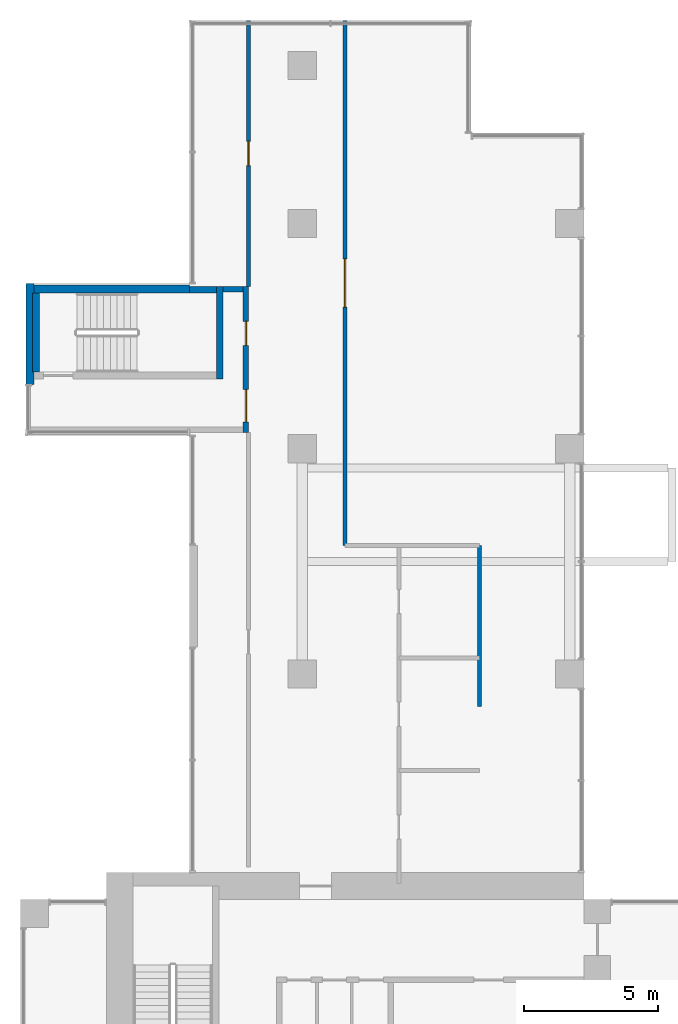
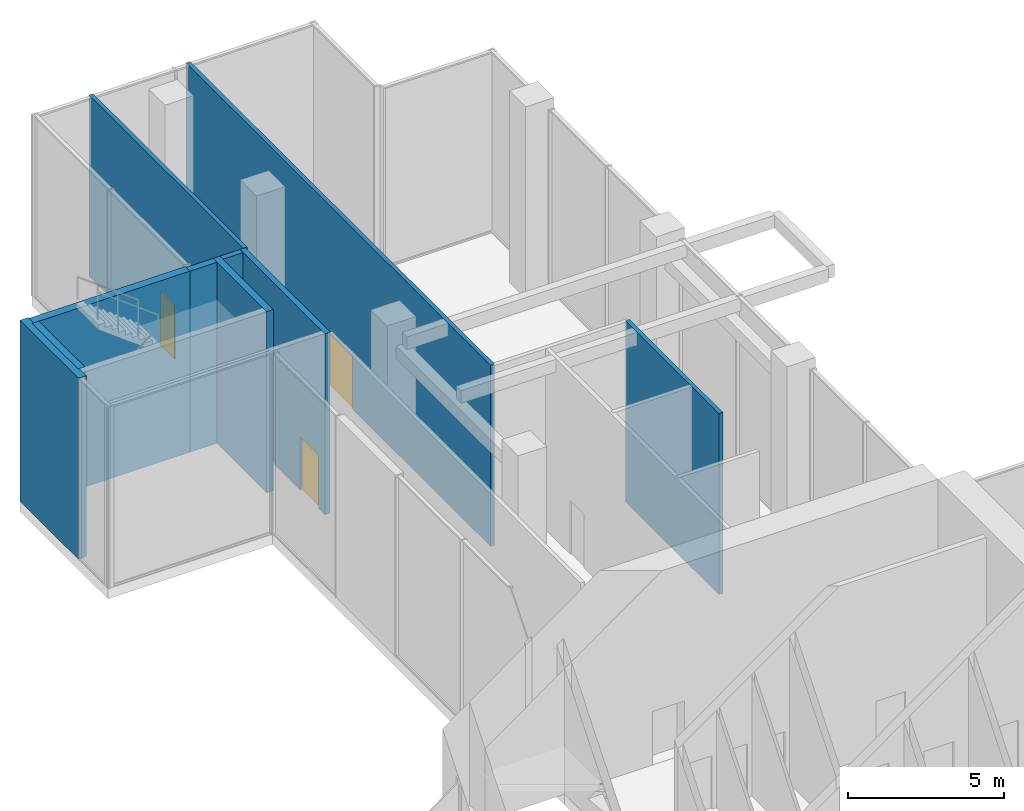
# One storey, part 13 of 18: 10 walls, 4 doors, 4 openings.
"""IFC4 building model written with IfcOpenShell, lengths in metres."""

import ifcopenshell
import ifcopenshell.guid

model = None  # the IFC model being written
_history = None  # IfcOwnerHistory: only IFC2X3 demands one
_inside = {}  # id of a spatial element -> (the spatial element, [elements in it])
_under = {}  # id of a project, library or spatial element -> (it, [spatial elements below it])
_declared = {}  # id of a project -> (the project, [libraries it declares])
_typed = {}  # id of a type object -> (the type object, [elements of that type])
_made_of = {}  # id of a material, layer set ... -> (it, [elements and type objects made of it])


def new_model(schema):
    """Start an empty IFC model of exactly this schema.

    Asked for "IFC4X3", IfcOpenShell would pick the latest addendum, in which some entities
    have other attributes; the version numbers below select the first issue.
    IFC2X3 requires an IfcOwnerHistory on every rooted entity: one is made here for all.
    """
    global model, _history
    if schema == "IFC4X3":
        model = ifcopenshell.file(schema_version=(4, 3, 0, 0))
    else:
        model = ifcopenshell.file(schema=schema)
    _inside.clear()
    _under.clear()
    _declared.clear()
    _typed.clear()
    _made_of.clear()
    _history = None
    if model.schema == "IFC2X3":
        org = make("IfcOrganization", Name="unknown")
        user = make(
            "IfcPersonAndOrganization",
            ThePerson=make("IfcPerson", FamilyName="unknown"),
            TheOrganization=org,
        )
        app = make(
            "IfcApplication",
            ApplicationDeveloper=org,
            Version="unknown",
            ApplicationFullName="unknown",
            ApplicationIdentifier="unknown",
        )
        _history = make(
            "IfcOwnerHistory",
            OwningUser=user,
            OwningApplication=app,
            ChangeAction="ADDED",
            CreationDate=0,
        )
    return model


def make(cls, **values):
    """One entity of the class cls with the attributes given. An attribute that is None is left unset."""
    return model.create_entity(
        cls, **{name: value for name, value in values.items() if value is not None}
    )


def rooted(cls, **values):
    """An entity with a GlobalId (a new one), such as an element, a storey or a relation."""
    return make(cls, GlobalId=ifcopenshell.guid.new(), OwnerHistory=_history, **values)


def si_unit(unit_type, name, prefix=None):
    """IfcSIUnit, for example si_unit("LENGTHUNIT", "METRE", prefix="MILLI")."""
    return make("IfcSIUnit", UnitType=unit_type, Prefix=prefix, Name=name)


def assignment(units):
    """IfcUnitAssignment: the units of a project."""
    return None if units is None else make("IfcUnitAssignment", Units=units)


def point(xyz):
    """IfcCartesianPoint."""
    return None if xyz is None else make("IfcCartesianPoint", Coordinates=xyz)


def direction(xyz):
    """IfcDirection."""
    return None if xyz is None else make("IfcDirection", DirectionRatios=xyz)


def frame(location, z_axis=None, x_axis=None):
    """IfcAxis2Placement3D, a coordinate frame: its origin and axes. An axis left out is left unset."""
    return make(
        "IfcAxis2Placement3D",
        Location=point(location),
        Axis=direction(z_axis),
        RefDirection=direction(x_axis),
    )


def frame_2d(location, x_axis=None):
    """IfcAxis2Placement2D, a coordinate frame in the plane: its origin and x axis."""
    return make(
        "IfcAxis2Placement2D", Location=point(location), RefDirection=direction(x_axis)
    )


def origin():
    """The frame at (0, 0, 0) with its axes left unset."""
    return frame((0.0, 0.0, 0.0))


def place(relative_to, where):
    """IfcLocalPlacement: puts the frame where relative to a parent placement (None: the world)."""
    return make(
        "IfcLocalPlacement", PlacementRelTo=relative_to, RelativePlacement=where
    )


def context(
    kind, dimensions, precision=None, world=None, true_north=None, identifier=None
):
    """IfcGeometricRepresentationContext, for example the 3D "Model" context."""
    return make(
        "IfcGeometricRepresentationContext",
        ContextIdentifier=identifier,
        ContextType=kind,
        CoordinateSpaceDimension=dimensions,
        Precision=precision,
        WorldCoordinateSystem=world,
        TrueNorth=true_north,
    )


def subcontext(parent, identifier, kind, view, scale=None):
    """IfcGeometricRepresentationSubContext, for example "Body" below "Model"."""
    return make(
        "IfcGeometricRepresentationSubContext",
        ContextIdentifier=identifier,
        ContextType=kind,
        ParentContext=parent,
        TargetScale=scale,
        TargetView=view,
    )


def project(units=None, contexts=None):
    """IfcProject with its units and contexts."""
    return rooted(
        "IfcProject",
        Name="project",
        RepresentationContexts=contexts,
        UnitsInContext=assignment(units),
    )


def spatial(cls, under=None, at=None, **own):
    """A site, building, storey or space (cls), placed at a placement, below another one or the project."""
    s = rooted(cls, ObjectPlacement=at, **own)
    if under is not None:
        _under.setdefault(under.id(), (under, []))[1].append(s)
    return s


def profile(cls, at=None, kind="AREA", **sizes):
    """A parametric profile (cls). Its sizes go by their IFC names, for example OverallWidth=200.0."""
    return make(cls, ProfileType=kind, Position=at, **sizes)


def rectangle(**sizes):
    """IfcRectangleProfileDef."""
    return profile("IfcRectangleProfileDef", **sizes)


def extrude(swept, where, along, depth):
    """IfcExtrudedAreaSolid: the profile swept, set in the frame where, extruded along a direction by depth."""
    return make(
        "IfcExtrudedAreaSolid",
        SweptArea=swept,
        Position=where,
        ExtrudedDirection=direction(along),
        Depth=depth,
    )


def shape(context_of_items, identifier, shape_type, items):
    """IfcShapeRepresentation: the items that make up one representation, for example the "Body"."""
    return make(
        "IfcShapeRepresentation",
        ContextOfItems=context_of_items,
        RepresentationIdentifier=identifier,
        RepresentationType=shape_type,
        Items=items,
    )


def source(mapping_origin, context_of_items, identifier, shape_type, items):
    """IfcRepresentationMap: a shape defined once, which mapped items show again and again."""
    return make(
        "IfcRepresentationMap",
        MappingOrigin=mapping_origin,
        MappedRepresentation=shape(context_of_items, identifier, shape_type, items),
    )


def transform(
    local_origin,
    x_axis=None,
    y_axis=None,
    z_axis=None,
    scale=None,
    scale2=None,
    scale3=None,
    uniform=True,
):
    """IfcCartesianTransformationOperator3D, or its non-uniform kind. x_axis, y_axis, z_axis: its Axis1, 2, 3."""
    if uniform:
        return make(
            "IfcCartesianTransformationOperator3D",
            Axis1=direction(x_axis),
            Axis2=direction(y_axis),
            LocalOrigin=point(local_origin),
            Scale=scale,
            Axis3=direction(z_axis),
        )
    return make(
        "IfcCartesianTransformationOperator3DnonUniform",
        Axis1=direction(x_axis),
        Axis2=direction(y_axis),
        LocalOrigin=point(local_origin),
        Scale=scale,
        Axis3=direction(z_axis),
        Scale2=scale2,
        Scale3=scale3,
    )


def mapped(mapping_source, mapping_target):
    """IfcMappedItem: shows the shape of a source again, moved by a transform."""
    return make(
        "IfcMappedItem", MappingSource=mapping_source, MappingTarget=mapping_target
    )


def material(Name=None, Category=None):
    """IfcMaterial."""
    return make("IfcMaterial", Name=Name, Category=Category)


def layer(
    of_material, thickness, ventilated=None, Name=None, Category=None, Priority=None
):
    """IfcMaterialLayer: one layer of a wall or slab, of a material (None: an air gap)."""
    return make(
        "IfcMaterialLayer",
        Material=of_material,
        LayerThickness=thickness,
        IsVentilated=ventilated,
        Name=Name,
        Category=Category,
        Priority=Priority,
    )


def layer_set(layers, Name=None):
    """IfcMaterialLayerSet."""
    return make("IfcMaterialLayerSet", MaterialLayers=layers, LayerSetName=Name)


def made_of(thing, what):
    """Note that an element or type object is made of a material, layer set ...; save() writes the relation."""
    if what is not None:
        _made_of.setdefault(what.id(), (what, []))[1].append(thing)
    return thing


def type_object(cls, material=None, **own):
    """A type object (cls), such as IfcWallType, which elements share."""
    return made_of(rooted(cls, **own), material)


def element(
    cls,
    number,
    at=None,
    inside=None,
    cuts=None,
    type_object=None,
    material=None,
    context=None,
    identifier="Body",
    shape_type=None,
    held_by="IfcProductDefinitionShape",
    body=None,
    shapes=None,
    **own,
):
    """One element of the class cls, such as IfcWall. Its Tag is "e" and its number.

    at: its placement. inside: the storey or other place that contains it. cuts: it is an
    opening in that element (IfcRelVoidsElement). A single representation is given by context,
    identifier, shape_type and body (its items); several are given by shapes. held_by: the class
    of the entity that holds the representations. save() writes the other relations.
    """
    e = rooted(cls, Tag="e%d" % number, ObjectPlacement=at, **own)
    if body is not None:
        shapes = [shape(context, identifier, shape_type, body)]
    if shapes is not None:
        e.Representation = make(held_by, Representations=shapes)
    if inside is not None:
        _inside.setdefault(inside.id(), (inside, []))[1].append(e)
    if cuts is not None:
        rooted(
            "IfcRelVoidsElement", RelatingBuildingElement=cuts, RelatedOpeningElement=e
        )
    if type_object is not None:
        _typed.setdefault(type_object.id(), (type_object, []))[1].append(e)
    return made_of(e, material)


def fill(opening, filler):
    """IfcRelFillsElement: the door or window that sits in an opening."""
    return rooted(
        "IfcRelFillsElement",
        RelatingOpeningElement=opening,
        RelatedBuildingElement=filler,
    )


def aggregate(whole, parts):
    """IfcRelAggregates: a whole, such as a stair, and the parts it consists of."""
    return rooted("IfcRelAggregates", RelatingObject=whole, RelatedObjects=parts)


def save(model, path):
    """Write the relations noted so far, then the file.

    IfcRelAggregates (storeys below a building ...), IfcRelContainedInSpatialStructure (elements
    in a storey), IfcRelDefinesByType, IfcRelAssociatesMaterial and IfcRelDeclares: one each for
    every whole, place, type object, material and project.
    """
    for whole, parts in _under.values():
        aggregate(whole, parts)
    for where, things in _inside.values():
        rooted(
            "IfcRelContainedInSpatialStructure",
            RelatedElements=things,
            RelatingStructure=where,
        )
    for kind, things in _typed.values():
        rooted("IfcRelDefinesByType", RelatedObjects=things, RelatingType=kind)
    for what, things in _made_of.values():
        rooted("IfcRelAssociatesMaterial", RelatedObjects=things, RelatingMaterial=what)
    for by, libraries in _declared.values():
        rooted("IfcRelDeclares", RelatingContext=by, RelatedDefinitions=libraries)
    model.write(path)


model = new_model("IFC4")

# Units and contexts
model_context = context("Model", 3, precision=1e-05, world=origin(), true_north=direction((0.0, 1.0)))
body_context = subcontext(model_context, "Body", "Model", "MODEL_VIEW")
ifc_project = project(units=[si_unit("LENGTHUNIT", "METRE"), si_unit("AREAUNIT", "SQUARE_METRE"), si_unit("VOLUMEUNIT", "CUBIC_METRE"), si_unit("PLANEANGLEUNIT", "RADIAN"), si_unit("MASSUNIT", "GRAM", prefix="KILO")], contexts=[model_context])

# Site, building, storey
site_placement = place(None, origin())
site = spatial("IfcSite", under=ifc_project, at=site_placement, CompositionType="ELEMENT")
building_placement = place(site_placement, origin())
building = spatial("IfcBuilding", under=site, at=building_placement, Name="Aurelian Terraces", CompositionType="ELEMENT")
storey_placement = place(building_placement, frame((0.0, 0.0, 170.3)))
storey = spatial("IfcBuildingStorey", under=building, at=storey_placement, Name="L37", CompositionType="ELEMENT", Elevation=170.3)

# Walls
ifc_material_1 = material(Name="Concrete fc' 40 MPa", Category="concrete")
ifc_layer_1 = layer(ifc_material_1, 0.3)
ifc_layer_set_1 = layer_set([ifc_layer_1], Name="STAIR BAY WALL 300")
wall_type_1 = type_object("IfcWallType", Name="STAIR BAY WALL 300", PredefinedType="SOLIDWALL", material=ifc_layer_set_1)
wall_1_placement = place(storey_placement, frame((6.3, 43.75, 0.0), z_axis=(0.0, 0.0, 1.0), x_axis=(-1.0, 0.0, 0.0)))
element("IfcWall", 1, at=wall_1_placement, inside=storey, type_object=wall_type_1, Name="Stair bay wall L37 F15.1", PredefinedType="SOLIDWALL", context=body_context, shape_type="SweptSolid", body=[
    extrude(rectangle(XDim=5.8, YDim=0.3, at=frame_2d((2.9, 0.0))), origin(), (0.0, 0.0, 1.0), 7.1),
])
wall_2_placement = place(storey_placement, frame((0.35, 43.95, 0.0), z_axis=(0.0, 0.0, 1.0), x_axis=(0.0, -1.0, 0.0)))
element("IfcWall", 2, at=wall_2_placement, inside=storey, type_object=wall_type_1, Name="Stair bay wall L37 F16.1", PredefinedType="SOLIDWALL", context=body_context, shape_type="SweptSolid", body=[
    extrude(rectangle(XDim=3.75, YDim=0.3, at=frame_2d((1.875, 0.0))), origin(), (0.0, 0.0, 1.0), 7.1),
])

# Wall, opening, door
ifc_material_2 = material(Name="Gypsum board on steel studs", Category="steel")
ifc_layer_2 = layer(ifc_material_2, 0.15)
ifc_layer_set_2 = layer_set([ifc_layer_2], Name="Special partition 150")
wall_type_2 = type_object("IfcWallType", Name="Special partition 150", PredefinedType="PARTITIONING", material=ifc_layer_set_2)
wall_3_placement = place(storey_placement, frame((8.5, 43.85, 0.0), z_axis=(0.0, 0.0, 1.0), x_axis=(0.0, 1.0, 0.0)))
wall_3 = element("IfcWall", 3, at=wall_3_placement, inside=storey, type_object=wall_type_2, Name="L37 partition W08", PredefinedType="PARTITIONING", context=body_context, shape_type="SweptSolid", body=[
    extrude(rectangle(XDim=9.91, YDim=0.15, at=frame_2d((4.955, 0.0))), origin(), (0.0, 0.0, 1.0), 7.1),
])
shared_shape_1 = source(origin(), body_context, "Body", "SweptSolid", [
    extrude(rectangle(XDim=0.9, YDim=2.1, at=frame_2d((0.45, 1.05))), frame((0.0, 0.085, 0.0), z_axis=(0.0, -1.0, 0.0), x_axis=(1.0, 0.0, 0.0)), (0.0, 0.0, 1.0), 0.17),
])
opening_1_placement = place(wall_3_placement, frame((4.505, 0.0, 0.0)))
opening_1 = element("IfcOpeningElement", 4, at=opening_1_placement, cuts=wall_3, Name="Opening 74006", PredefinedType="OPENING", context=body_context, shape_type="MappedRepresentation", body=[
    mapped(shared_shape_1, transform((0.0, 0.0, 0.0), scale=1.0)),
])
ifc_material_3 = material(Name="Timber door leaf", Category="wood")
door_type_1 = type_object("IfcDoorType", Name="Special door 900x2100 right", OperationType="SINGLE_SWING_RIGHT", PredefinedType="DOOR", material=ifc_material_3)
shared_shape_2 = source(origin(), body_context, "Body", "SweptSolid", [
    extrude(rectangle(XDim=0.9, YDim=2.1, at=frame_2d((0.45, 1.05))), frame((0.0, 0.025, 0.0), z_axis=(0.0, -1.0, 0.0), x_axis=(1.0, 0.0, 0.0)), (0.0, 0.0, 1.0), 0.05),
])
door_1_placement = place(opening_1_placement, origin())
door_1 = element("IfcDoor", 5, at=door_1_placement, inside=storey, type_object=door_type_1, Name="Door 74006", OperationType="SINGLE_SWING_RIGHT", OverallHeight=2.1, OverallWidth=0.9, PredefinedType="DOOR", context=body_context, shape_type="MappedRepresentation", body=[
    mapped(shared_shape_2, transform((0.0, 0.0, 0.0), scale=1.0)),
])
fill(opening_1, door_1)

wall_4_placement = place(storey_placement, frame((12.1, 34.2, 0.0), z_axis=(0.0, 0.0, 1.0), x_axis=(0.0, 1.0, 0.0)))
wall_4 = element("IfcWall", 6, at=wall_4_placement, inside=storey, type_object=wall_type_2, Name="L37 partition W09", PredefinedType="PARTITIONING", context=body_context, shape_type="SweptSolid", body=[
    extrude(rectangle(XDim=19.56, YDim=0.15, at=frame_2d((9.78, 0.0))), origin(), (0.0, 0.0, 1.0), 7.1),
])
shared_shape_3 = source(origin(), body_context, "Body", "SweptSolid", [
    extrude(rectangle(XDim=1.8, YDim=2.1, at=frame_2d((0.9, 1.05))), frame((0.0, 0.085, 0.0), z_axis=(0.0, -1.0, 0.0), x_axis=(1.0, 0.0, 0.0)), (0.0, 0.0, 1.0), 0.17),
])
opening_2_placement = place(wall_4_placement, frame((8.88, 0.0, 0.0)))
opening_2 = element("IfcOpeningElement", 7, at=opening_2_placement, cuts=wall_4, Name="Opening 74007", PredefinedType="OPENING", context=body_context, shape_type="MappedRepresentation", body=[
    mapped(shared_shape_3, transform((0.0, 0.0, 0.0), scale=1.0)),
])
door_type_2 = type_object("IfcDoorType", Name="Special double door 1800x2100", OperationType="DOUBLE_DOOR_SINGLE_SWING", PredefinedType="DOOR", material=ifc_material_3)
shared_shape_4 = source(origin(), body_context, "Body", "SweptSolid", [
    extrude(rectangle(XDim=1.8, YDim=2.1, at=frame_2d((0.9, 1.05))), frame((0.0, 0.025, 0.0), z_axis=(0.0, -1.0, 0.0), x_axis=(1.0, 0.0, 0.0)), (0.0, 0.0, 1.0), 0.05),
])
door_2_placement = place(opening_2_placement, origin())
door_2 = element("IfcDoor", 8, at=door_2_placement, inside=storey, type_object=door_type_2, Name="Door 74007", OperationType="DOUBLE_DOOR_SINGLE_SWING", OverallHeight=2.1, OverallWidth=1.8, PredefinedType="DOOR", context=body_context, shape_type="MappedRepresentation", body=[
    mapped(shared_shape_4, transform((0.0, 0.0, 0.0), scale=1.0)),
])
fill(opening_2, door_2)

# Walls
wall_5_placement = place(storey_placement, frame((17.1, 28.2, 0.0), z_axis=(0.0, 0.0, 1.0), x_axis=(0.0, 1.0, 0.0)))
element("IfcWall", 9, at=wall_5_placement, inside=storey, type_object=wall_type_2, Name="L37 partition W11", PredefinedType="PARTITIONING", context=body_context, shape_type="SweptSolid", body=[
    extrude(rectangle(XDim=6.0, YDim=0.15, at=frame_2d((3.0, 0.0))), origin(), (0.0, 0.0, 1.0), 7.1),
])
ifc_layer_3 = layer(ifc_material_1, 0.25)
ifc_layer_set_3 = layer_set([ifc_layer_3], Name="Stair enclosure wall 250")
wall_type_3 = type_object("IfcWallType", Name="Stair enclosure wall 250", PredefinedType="SOLIDWALL", material=ifc_layer_set_3)
wall_6_placement = place(storey_placement, frame((6.3, 43.725, 0.0), z_axis=(0.0, 0.0, 1.0), x_axis=(1.0, 0.0, 0.0)))
element("IfcWall", 10, at=wall_6_placement, inside=storey, type_object=wall_type_3, Name="L37 core wall ST-S3-E", PredefinedType="SOLIDWALL", context=body_context, shape_type="SweptSolid", body=[
    extrude(rectangle(XDim=1.0, YDim=0.25, at=frame_2d((0.5, 0.0))), origin(), (0.0, 0.0, 1.0), 7.1),
])
shared_shape_5 = source(origin(), body_context, "Body", "SweptSolid", [
    extrude(rectangle(XDim=3.45, YDim=0.25, at=frame_2d((1.725, 0.0))), origin(), (0.0, 0.0, 1.0), 7.1),
])
wall_7_placement = place(storey_placement, frame((7.425, 40.4, 0.0), z_axis=(0.0, 0.0, 1.0), x_axis=(0.0, 1.0, 0.0)))
element("IfcWall", 11, at=wall_7_placement, inside=storey, type_object=wall_type_3, Name="L37 core wall ST-S3-N", PredefinedType="SOLIDWALL", context=body_context, shape_type="MappedRepresentation", body=[
    mapped(shared_shape_5, transform((0.0, 0.0, 0.0), scale=1.0)),
])
shared_shape_6 = source(origin(), body_context, "Body", "SweptSolid", [
    extrude(rectangle(XDim=2.95, YDim=0.25, at=frame_2d((1.475, 0.0))), origin(), (0.0, 0.0, 1.0), 7.1),
])
wall_8_placement = place(storey_placement, frame((0.575, 40.65, 0.0), z_axis=(0.0, 0.0, 1.0), x_axis=(0.0, 1.0, 0.0)))
element("IfcWall", 12, at=wall_8_placement, inside=storey, type_object=wall_type_3, Name="L37 core wall ST-S3-SS", PredefinedType="SOLIDWALL", context=body_context, shape_type="MappedRepresentation", body=[
    mapped(shared_shape_6, transform((0.0, 0.0, 0.0), scale=1.0)),
])

# Wall, openings, doors
ifc_layer_4 = layer(ifc_material_2, 0.2)
ifc_layer_set_4 = layer_set([ifc_layer_4], Name="Core partition 200")
wall_type_4 = type_object("IfcWallType", Name="Core partition 200", PredefinedType="PARTITIONING", material=ifc_layer_set_4)
shared_shape_7 = source(origin(), body_context, "Body", "SweptSolid", [
    extrude(rectangle(XDim=5.45, YDim=0.2, at=frame_2d((2.725, 0.0))), origin(), (0.0, 0.0, 1.0), 7.1),
])
wall_9_placement = place(storey_placement, frame((8.4, 38.4, 0.0), z_axis=(0.0, 0.0, 1.0), x_axis=(0.0, 1.0, 0.0)))
wall_9 = element("IfcWall", 13, at=wall_9_placement, inside=storey, type_object=wall_type_4, Name="L37 core wall ST-S3-BN", PredefinedType="PARTITIONING", context=body_context, shape_type="MappedRepresentation", body=[
    mapped(shared_shape_7, transform((0.0, 0.0, 0.0), scale=1.0)),
])
shared_shape_8 = source(origin(), body_context, "Body", "SweptSolid", [
    extrude(rectangle(XDim=1.2, YDim=2.1, at=frame_2d((0.6, 1.05))), frame((0.0, 0.11, 0.0), z_axis=(0.0, -1.0, 0.0), x_axis=(1.0, 0.0, 0.0)), (0.0, 0.0, 1.0), 0.22),
])
opening_3_placement = place(wall_9_placement, frame((0.4, 0.0, 0.0)))
opening_3 = element("IfcOpeningElement", 14, at=opening_3_placement, cuts=wall_9, Name="Opening 64021", PredefinedType="OPENING", context=body_context, shape_type="MappedRepresentation", body=[
    mapped(shared_shape_8, transform((0.0, 0.0, 0.0), scale=1.0)),
])
shared_shape_9 = source(origin(), body_context, "Body", "SweptSolid", [
    extrude(rectangle(XDim=0.9, YDim=2.1, at=frame_2d((0.45, 1.05))), frame((0.0, 0.11, 0.0), z_axis=(0.0, -1.0, 0.0), x_axis=(1.0, 0.0, 0.0)), (0.0, 0.0, 1.0), 0.22),
])
opening_4_placement = place(wall_9_placement, frame((3.25, 0.0, 0.0)))
opening_4 = element("IfcOpeningElement", 15, at=opening_4_placement, cuts=wall_9, Name="Opening 64022", PredefinedType="OPENING", context=body_context, shape_type="MappedRepresentation", body=[
    mapped(shared_shape_9, transform((0.0, 0.0, 0.0), scale=1.0)),
])
ifc_material_4 = material(Name="Steel door leaf", Category="steel")
door_type_3 = type_object("IfcDoorType", Name="Core riser door 900x2100", OperationType="SINGLE_SWING_LEFT", PredefinedType="DOOR", material=ifc_material_4)
door_3_placement = place(opening_4_placement, origin())
door_3 = element("IfcDoor", 16, at=door_3_placement, inside=storey, type_object=door_type_3, Name="Riser door 64022", OperationType="SINGLE_SWING_LEFT", OverallHeight=2.1, OverallWidth=0.9, PredefinedType="DOOR", context=body_context, shape_type="MappedRepresentation", body=[
    mapped(shared_shape_2, transform((0.0, 0.0, 0.0), scale=1.0)),
])
fill(opening_4, door_3)
door_type_4 = type_object("IfcDoorType", Name="Core fire door 1200x2100 right", OperationType="SINGLE_SWING_RIGHT", PredefinedType="DOOR", material=ifc_material_4)
shared_shape_10 = source(origin(), body_context, "Body", "SweptSolid", [
    extrude(rectangle(XDim=1.2, YDim=2.1, at=frame_2d((0.6, 1.05))), frame((0.0, 0.025, 0.0), z_axis=(0.0, -1.0, 0.0), x_axis=(1.0, 0.0, 0.0)), (0.0, 0.0, 1.0), 0.05),
])
door_4_placement = place(opening_3_placement, origin())
door_4 = element("IfcDoor", 17, at=door_4_placement, inside=storey, type_object=door_type_4, Name="Vestibule door 64021", OperationType="SINGLE_SWING_RIGHT", OverallHeight=2.1, OverallWidth=1.2, PredefinedType="DOOR", context=body_context, shape_type="MappedRepresentation", body=[
    mapped(shared_shape_10, transform((0.0, 0.0, 0.0), scale=1.0)),
])
fill(opening_3, door_4)

# Wall
shared_shape_11 = source(origin(), body_context, "Body", "SweptSolid", [
    extrude(rectangle(XDim=0.75, YDim=0.2, at=frame_2d((0.375, 0.0))), origin(), (0.0, 0.0, 1.0), 7.1),
])
wall_10_placement = place(storey_placement, frame((7.55, 43.75, 0.0), z_axis=(0.0, 0.0, 1.0), x_axis=(1.0, 0.0, 0.0)))
element("IfcWall", 18, at=wall_10_placement, inside=storey, type_object=wall_type_4, Name="L37 core wall ST-S3-RE", PredefinedType="PARTITIONING", context=body_context, shape_type="MappedRepresentation", body=[
    mapped(shared_shape_11, transform((0.0, 0.0, 0.0), scale=1.0)),
])

save(model, "model.ifc")
